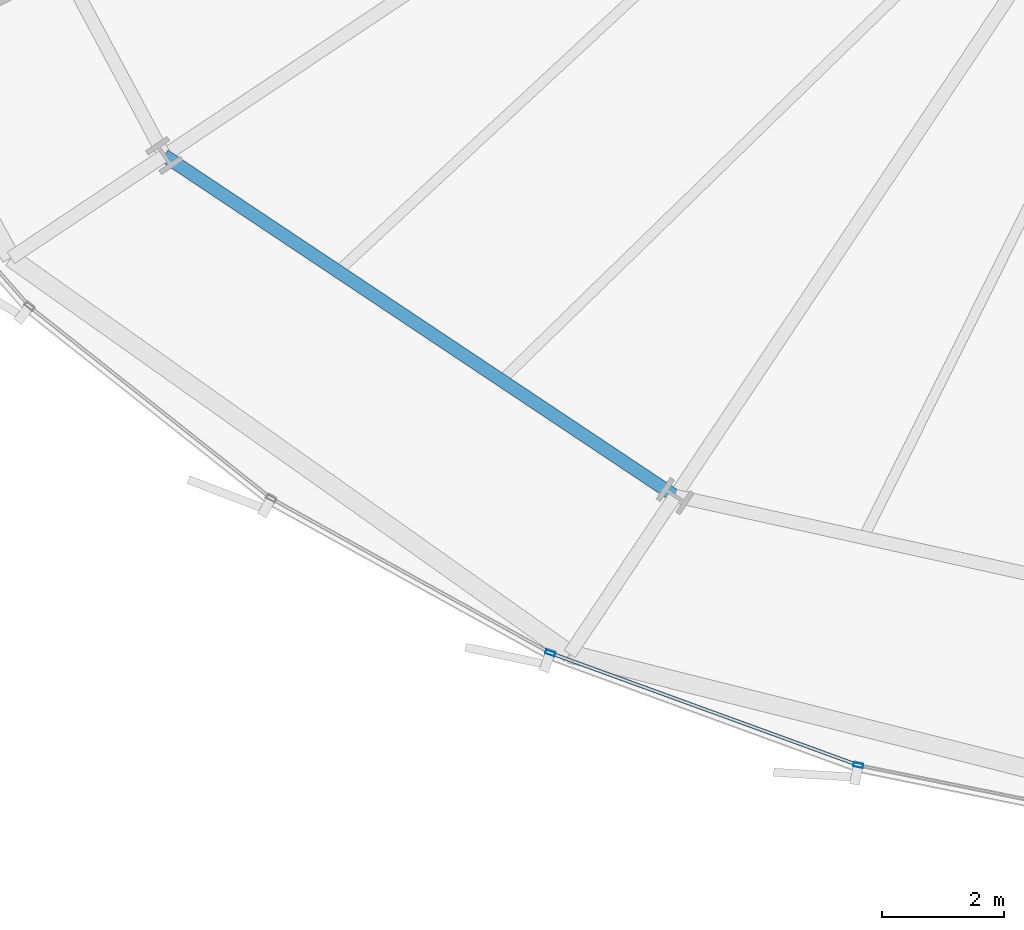
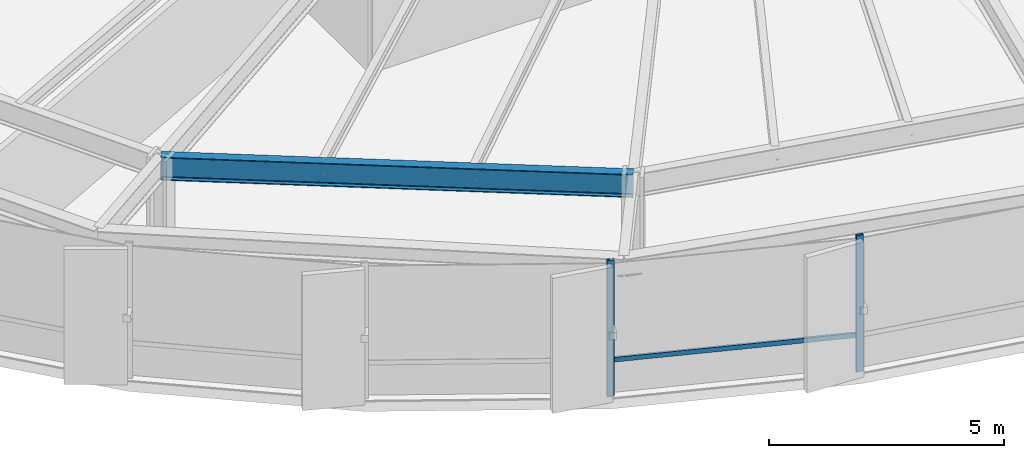
# One storey, part 3 of 39: 3 members, 1 beam, 1 element without a shape of its own.
"""IFC4 building model written with IfcOpenShell, lengths in metres."""

from ifc_helpers import new_model, si_unit, direction, frame, origin, origin_2d, place, context, subcontext, project, spatial, hollow_rectangle, i_section, extrude, source, transform, mapped, material, layer, layer_set, material_profile, profile_set, type_object, element, aggregate, save


model = new_model("IFC4")

# Units and contexts
model_context = context("Model", 3, precision=1e-05, world=origin(), true_north=direction((0.0, 1.0)))
body_context = subcontext(model_context, "Body", "Model", "MODEL_VIEW")
ifc_project = project(units=[si_unit("LENGTHUNIT", "METRE"), si_unit("AREAUNIT", "SQUARE_METRE"), si_unit("VOLUMEUNIT", "CUBIC_METRE"), si_unit("PLANEANGLEUNIT", "RADIAN"), si_unit("MASSUNIT", "GRAM", prefix="KILO"), si_unit("THERMODYNAMICTEMPERATUREUNIT", "KELVIN")], contexts=[model_context])

# Site, building, storey
site_placement = place(None, origin())
site = spatial("IfcSite", under=ifc_project, at=site_placement, CompositionType="ELEMENT")
building_placement = place(site_placement, origin())
building = spatial("IfcBuilding", under=site, at=building_placement, Name="Kethvar Cultural Tower", CompositionType="ELEMENT")
storey_placement = place(building_placement, frame((0.0, 0.0, 33.39990234375)))
storey = spatial("IfcBuildingStorey", under=building, at=storey_placement, Name="L07", CompositionType="ELEMENT", Elevation=33.39990234375)

# Beam
ifc_material_1 = material(Name="Steel S355J2", Category="steel")
ifc_material_profile_1 = material_profile(ifc_material_1, i_section(OverallWidth=0.219970703125, OverallDepth=0.60009765625, WebThickness=0.011962890625, FlangeThickness=0.01904296875, FilletRadius=0.02392578125, at=origin_2d()), Name="Steel S355J2 — IPE600")
ifc_profile_set_1 = profile_set([ifc_material_profile_1], Name="Steel S355J2 — IPE600")
beam_type = type_object("IfcBeamType", Name="BM-IPE600", PredefinedType="BEAM", material=ifc_profile_set_1)
shared_shape_1 = source(origin(), body_context, "Body", "SweptSolid", [
    extrude(i_section(OverallWidth=0.219970703125, OverallDepth=0.60009765625, WebThickness=0.011962890625, FlangeThickness=0.01904296875, FilletRadius=0.02392578125, at=origin_2d()), origin(), (0.0, 0.0, 1.0), 10.06787109375),
])
beam_placement = place(storey_placement, frame((24.9248046875, 13.183349609375, 3.248046875), z_axis=(0.832065216665, -0.554677812083, 0.0), x_axis=(0.554677812083, 0.832065216665, 0.0)))
element("IfcBeam", 1, at=beam_placement, inside=storey, type_object=beam_type, Name="L07 Column Ring Tie Beam CR-10", PredefinedType="BEAM", context=body_context, shape_type="MappedRepresentation", body=[
    mapped(shared_shape_1, transform((0.0, 0.0, 0.0), scale=1.0)),
])

# Curtain wall, members
ifc_material_2 = material(Name="Aluminium 6063-T6", Category="aluminium")
ifc_layer = layer(ifc_material_2, 0.179931640625, Name="Aluminium 6063-T6", Category="aluminium")
ifc_layer_set = layer_set([ifc_layer], Name="Aluminium 6063-T6 (180 mm)")
curtain_wall_type = type_object("IfcCurtainWallType", Name="CW-SYS-02-Z1", PredefinedType="NOTDEFINED", material=ifc_layer_set)
curtain_wall_placement = place(storey_placement, origin())
curtain_wall = element("IfcCurtainWall", 2, at=curtain_wall_placement, inside=storey, type_object=curtain_wall_type, Name="L07 Curtain Wall Run 05", PredefinedType="NOTDEFINED")
ifc_material_profile_2 = material_profile(ifc_material_2, hollow_rectangle(XDim=0.06494140625, YDim=0.159912109375, WallThickness=0.0048828125, at=origin_2d()), Name="Aluminium 6063-T6 — RHS160x65x5")
ifc_profile_set_2 = profile_set([ifc_material_profile_2], Name="Aluminium 6063-T6 — RHS160x65x5")
member_type_1 = type_object("IfcMemberType", Name="CW-SYS-02-Z1-MUL", PredefinedType="MULLION", material=ifc_profile_set_2)
shared_shape_2 = source(origin(), body_context, "Body", "SweptSolid", [
    extrude(hollow_rectangle(XDim=0.06494140625, YDim=0.159912109375, WallThickness=0.0048828125, at=origin_2d()), origin(), (0.0, 0.0, 1.0), 3.550048828125),
])
member_1_placement = place(storey_placement, frame((31.25439453125, 5.026123046875, 0.0), z_axis=(0.0, 0.0, 1.0), x_axis=(0.342364535679, 0.939567200742, 0.0)))
member_1 = element("IfcMember", 3, at=member_1_placement, type_object=member_type_1, Name="CW-L07-R05 Mullion 5", PredefinedType="MULLION", context=body_context, shape_type="MappedRepresentation", body=[
    mapped(shared_shape_2, transform((0.0, 0.0, 0.0), scale=1.0)),
])
member_2_placement = place(storey_placement, frame((36.3046875, 3.1845703125, 0.0), z_axis=(0.0, 0.0, 1.0), x_axis=(0.199179798706, 0.979962962457, 0.0)))
member_2 = element("IfcMember", 4, at=member_2_placement, type_object=member_type_1, Name="CW-L07-R05 Mullion 6", PredefinedType="MULLION", context=body_context, shape_type="MappedRepresentation", body=[
    mapped(shared_shape_2, transform((0.0, 0.0, 0.0), scale=1.0)),
])
ifc_material_profile_3 = material_profile(ifc_material_2, hollow_rectangle(XDim=0.054931640625, YDim=0.1201171875, WallThickness=0.00390625, at=origin_2d()), Name="Aluminium 6063-T6 — RHS120x55x4")
ifc_profile_set_3 = profile_set([ifc_material_profile_3], Name="Aluminium 6063-T6 — RHS120x55x4")
member_type_2 = type_object("IfcMemberType", Name="CW-SYS-02-Z1-TRN", PredefinedType="USERDEFINED", material=ifc_profile_set_3)
shared_shape_3 = source(origin(), body_context, "Body", "SweptSolid", [
    extrude(hollow_rectangle(XDim=0.054931640625, YDim=0.1201171875, WallThickness=0.00390625, at=origin_2d()), origin(), (0.0, 0.0, 1.0), 5.299560546875),
])
member_3_placement = place(storey_placement, frame((31.298583984375, 5.010009765625, 0.9501953125), z_axis=(0.939576677004, -0.342338528405, 0.0), x_axis=(0.342338528405, 0.939576677004, 0.0)))
member_3 = element("IfcMember", 5, at=member_3_placement, type_object=member_type_2, Name="CW-L07-R05 Transom 5", ObjectType="TRANSOM", PredefinedType="USERDEFINED", context=body_context, shape_type="MappedRepresentation", body=[
    mapped(shared_shape_3, transform((0.0, 0.0, 0.0), scale=1.0)),
])
aggregate(curtain_wall, [member_1, member_2, member_3])

save(model, "model.ifc")
